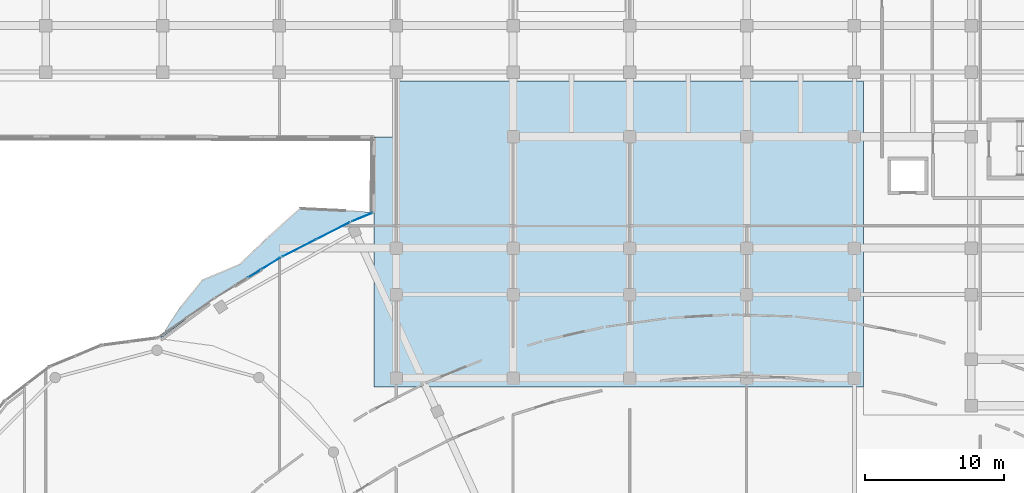
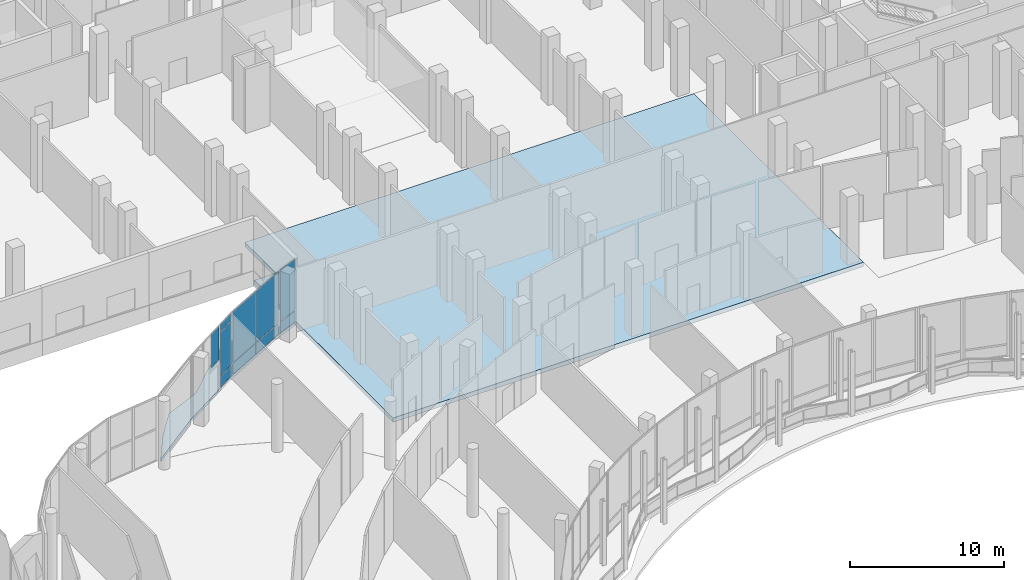
# One storey, part 128 of 158: 10 plates, 2 slabs, 4 elements without a shape of their own.
"""IFC4 building model written with IfcOpenShell, lengths in metres."""

import ifcopenshell
import ifcopenshell.guid

model = None  # the IFC model being written
_history = None  # IfcOwnerHistory: only IFC2X3 demands one
_inside = {}  # id of a spatial element -> (the spatial element, [elements in it])
_under = {}  # id of a project, library or spatial element -> (it, [spatial elements below it])
_declared = {}  # id of a project -> (the project, [libraries it declares])
_typed = {}  # id of a type object -> (the type object, [elements of that type])
_made_of = {}  # id of a material, layer set ... -> (it, [elements and type objects made of it])


def new_model(schema):
    """Start an empty IFC model of exactly this schema.

    Asked for "IFC4X3", IfcOpenShell would pick the latest addendum, in which some entities
    have other attributes; the version numbers below select the first issue.
    IFC2X3 requires an IfcOwnerHistory on every rooted entity: one is made here for all.
    """
    global model, _history
    if schema == "IFC4X3":
        model = ifcopenshell.file(schema_version=(4, 3, 0, 0))
    else:
        model = ifcopenshell.file(schema=schema)
    _inside.clear()
    _under.clear()
    _declared.clear()
    _typed.clear()
    _made_of.clear()
    _history = None
    if model.schema == "IFC2X3":
        org = make("IfcOrganization", Name="unknown")
        user = make(
            "IfcPersonAndOrganization",
            ThePerson=make("IfcPerson", FamilyName="unknown"),
            TheOrganization=org,
        )
        app = make(
            "IfcApplication",
            ApplicationDeveloper=org,
            Version="unknown",
            ApplicationFullName="unknown",
            ApplicationIdentifier="unknown",
        )
        _history = make(
            "IfcOwnerHistory",
            OwningUser=user,
            OwningApplication=app,
            ChangeAction="ADDED",
            CreationDate=0,
        )
    return model


def make(cls, **values):
    """One entity of the class cls with the attributes given. An attribute that is None is left unset."""
    return model.create_entity(
        cls, **{name: value for name, value in values.items() if value is not None}
    )


def rooted(cls, **values):
    """An entity with a GlobalId (a new one), such as an element, a storey or a relation."""
    return make(cls, GlobalId=ifcopenshell.guid.new(), OwnerHistory=_history, **values)


def si_unit(unit_type, name, prefix=None):
    """IfcSIUnit, for example si_unit("LENGTHUNIT", "METRE", prefix="MILLI")."""
    return make("IfcSIUnit", UnitType=unit_type, Prefix=prefix, Name=name)


def assignment(units):
    """IfcUnitAssignment: the units of a project."""
    return None if units is None else make("IfcUnitAssignment", Units=units)


def point(xyz):
    """IfcCartesianPoint."""
    return None if xyz is None else make("IfcCartesianPoint", Coordinates=xyz)


def direction(xyz):
    """IfcDirection."""
    return None if xyz is None else make("IfcDirection", DirectionRatios=xyz)


def frame(location, z_axis=None, x_axis=None):
    """IfcAxis2Placement3D, a coordinate frame: its origin and axes. An axis left out is left unset."""
    return make(
        "IfcAxis2Placement3D",
        Location=point(location),
        Axis=direction(z_axis),
        RefDirection=direction(x_axis),
    )


def frame_2d(location, x_axis=None):
    """IfcAxis2Placement2D, a coordinate frame in the plane: its origin and x axis."""
    return make(
        "IfcAxis2Placement2D", Location=point(location), RefDirection=direction(x_axis)
    )


def origin():
    """The frame at (0, 0, 0) with its axes left unset."""
    return frame((0.0, 0.0, 0.0))


def origin_2d():
    """The frame at (0, 0) in the plane with its x axis left unset."""
    return frame_2d((0.0, 0.0))


def place(relative_to, where):
    """IfcLocalPlacement: puts the frame where relative to a parent placement (None: the world)."""
    return make(
        "IfcLocalPlacement", PlacementRelTo=relative_to, RelativePlacement=where
    )


def context(
    kind, dimensions, precision=None, world=None, true_north=None, identifier=None
):
    """IfcGeometricRepresentationContext, for example the 3D "Model" context."""
    return make(
        "IfcGeometricRepresentationContext",
        ContextIdentifier=identifier,
        ContextType=kind,
        CoordinateSpaceDimension=dimensions,
        Precision=precision,
        WorldCoordinateSystem=world,
        TrueNorth=true_north,
    )


def subcontext(parent, identifier, kind, view, scale=None):
    """IfcGeometricRepresentationSubContext, for example "Body" below "Model"."""
    return make(
        "IfcGeometricRepresentationSubContext",
        ContextIdentifier=identifier,
        ContextType=kind,
        ParentContext=parent,
        TargetScale=scale,
        TargetView=view,
    )


def project(units=None, contexts=None):
    """IfcProject with its units and contexts."""
    return rooted(
        "IfcProject",
        Name="project",
        RepresentationContexts=contexts,
        UnitsInContext=assignment(units),
    )


def spatial(cls, under=None, at=None, **own):
    """A site, building, storey or space (cls), placed at a placement, below another one or the project."""
    s = rooted(cls, ObjectPlacement=at, **own)
    if under is not None:
        _under.setdefault(under.id(), (under, []))[1].append(s)
    return s


def polyline(points):
    """IfcPolyline through the points."""
    return make("IfcPolyline", Points=[point(p) for p in points])


def profile(cls, at=None, kind="AREA", **sizes):
    """A parametric profile (cls). Its sizes go by their IFC names, for example OverallWidth=200.0."""
    return make(cls, ProfileType=kind, Position=at, **sizes)


def rectangle(**sizes):
    """IfcRectangleProfileDef."""
    return profile("IfcRectangleProfileDef", **sizes)


def outline(outer, holes=None, kind="AREA"):
    """IfcArbitraryClosedProfileDef: a profile drawn as a closed curve; with holes, ...WithVoids."""
    if holes is None:
        return make("IfcArbitraryClosedProfileDef", ProfileType=kind, OuterCurve=outer)
    return make(
        "IfcArbitraryProfileDefWithVoids",
        ProfileType=kind,
        OuterCurve=outer,
        InnerCurves=holes,
    )


def extrude(swept, where, along, depth):
    """IfcExtrudedAreaSolid: the profile swept, set in the frame where, extruded along a direction by depth."""
    return make(
        "IfcExtrudedAreaSolid",
        SweptArea=swept,
        Position=where,
        ExtrudedDirection=direction(along),
        Depth=depth,
    )


def shape(context_of_items, identifier, shape_type, items):
    """IfcShapeRepresentation: the items that make up one representation, for example the "Body"."""
    return make(
        "IfcShapeRepresentation",
        ContextOfItems=context_of_items,
        RepresentationIdentifier=identifier,
        RepresentationType=shape_type,
        Items=items,
    )


def material(Name=None, Category=None):
    """IfcMaterial."""
    return make("IfcMaterial", Name=Name, Category=Category)


def layer(
    of_material, thickness, ventilated=None, Name=None, Category=None, Priority=None
):
    """IfcMaterialLayer: one layer of a wall or slab, of a material (None: an air gap)."""
    return make(
        "IfcMaterialLayer",
        Material=of_material,
        LayerThickness=thickness,
        IsVentilated=ventilated,
        Name=Name,
        Category=Category,
        Priority=Priority,
    )


def layer_set(layers, Name=None):
    """IfcMaterialLayerSet."""
    return make("IfcMaterialLayerSet", MaterialLayers=layers, LayerSetName=Name)


def made_of(thing, what):
    """Note that an element or type object is made of a material, layer set ...; save() writes the relation."""
    if what is not None:
        _made_of.setdefault(what.id(), (what, []))[1].append(thing)
    return thing


def type_object(cls, material=None, **own):
    """A type object (cls), such as IfcWallType, which elements share."""
    return made_of(rooted(cls, **own), material)


def element(
    cls,
    number,
    at=None,
    inside=None,
    cuts=None,
    type_object=None,
    material=None,
    context=None,
    identifier="Body",
    shape_type=None,
    held_by="IfcProductDefinitionShape",
    body=None,
    shapes=None,
    **own,
):
    """One element of the class cls, such as IfcWall. Its Tag is "e" and its number.

    at: its placement. inside: the storey or other place that contains it. cuts: it is an
    opening in that element (IfcRelVoidsElement). A single representation is given by context,
    identifier, shape_type and body (its items); several are given by shapes. held_by: the class
    of the entity that holds the representations. save() writes the other relations.
    """
    e = rooted(cls, Tag="e%d" % number, ObjectPlacement=at, **own)
    if body is not None:
        shapes = [shape(context, identifier, shape_type, body)]
    if shapes is not None:
        e.Representation = make(held_by, Representations=shapes)
    if inside is not None:
        _inside.setdefault(inside.id(), (inside, []))[1].append(e)
    if cuts is not None:
        rooted(
            "IfcRelVoidsElement", RelatingBuildingElement=cuts, RelatedOpeningElement=e
        )
    if type_object is not None:
        _typed.setdefault(type_object.id(), (type_object, []))[1].append(e)
    return made_of(e, material)


def aggregate(whole, parts):
    """IfcRelAggregates: a whole, such as a stair, and the parts it consists of."""
    return rooted("IfcRelAggregates", RelatingObject=whole, RelatedObjects=parts)


def save(model, path):
    """Write the relations noted so far, then the file.

    IfcRelAggregates (storeys below a building ...), IfcRelContainedInSpatialStructure (elements
    in a storey), IfcRelDefinesByType, IfcRelAssociatesMaterial and IfcRelDeclares: one each for
    every whole, place, type object, material and project.
    """
    for whole, parts in _under.values():
        aggregate(whole, parts)
    for where, things in _inside.values():
        rooted(
            "IfcRelContainedInSpatialStructure",
            RelatedElements=things,
            RelatingStructure=where,
        )
    for kind, things in _typed.values():
        rooted("IfcRelDefinesByType", RelatedObjects=things, RelatingType=kind)
    for what, things in _made_of.values():
        rooted("IfcRelAssociatesMaterial", RelatedObjects=things, RelatingMaterial=what)
    for by, libraries in _declared.values():
        rooted("IfcRelDeclares", RelatingContext=by, RelatedDefinitions=libraries)
    model.write(path)


model = new_model("IFC4")

# Units and contexts
model_context = context("Model", 3, precision=1e-05, world=origin(), true_north=direction((0.0, 1.0)))
body_context = subcontext(model_context, "Body", "Model", "MODEL_VIEW")
ifc_project = project(units=[si_unit("LENGTHUNIT", "METRE"), si_unit("AREAUNIT", "SQUARE_METRE"), si_unit("VOLUMEUNIT", "CUBIC_METRE"), si_unit("PLANEANGLEUNIT", "RADIAN"), si_unit("MASSUNIT", "GRAM", prefix="KILO")], contexts=[model_context])

# Site, building, storey
site_placement = place(None, origin())
site = spatial("IfcSite", under=ifc_project, at=site_placement, CompositionType="ELEMENT")
building_placement = place(site_placement, origin())
building = spatial("IfcBuilding", under=site, at=building_placement, Name="Selatvlak General Hospital", CompositionType="ELEMENT")
storey_placement = place(building_placement, origin())
storey = spatial("IfcBuildingStorey", under=building, at=storey_placement, Name="L00", CompositionType="ELEMENT", Elevation=0.0)

# Curtain wall, plate
ifc_material_1 = material(Name="Solar-control Low-E double glazing", Category="glass")
curtain_wall_type_1 = type_object("IfcCurtainWallType", Name="CW-CW-02", PredefinedType="USERDEFINED", material=ifc_material_1)
curtain_wall_1_placement = place(storey_placement, origin())
curtain_wall_1 = element("IfcCurtainWall", 1, at=curtain_wall_1_placement, inside=storey, type_object=curtain_wall_type_1, Name="Glazed facade curtain wall CW-L00-0100", ObjectType="UNITISED CURTAIN WALL", PredefinedType="USERDEFINED")
ifc_layer_1 = layer(ifc_material_1, 0.028076171875, Name="Solar-control Low-E double glazing", Category="glass")
ifc_layer_set_1 = layer_set([ifc_layer_1], Name="Solar-control Low-E double glazing")
plate_type = type_object("IfcPlateType", Name="CWP-01", PredefinedType="CURTAIN_PANEL", material=ifc_layer_set_1)
plate_1_placement = place(storey_placement, frame((105.002685546875, 74.15283203125, 2.385009765625), z_axis=(0.0, 0.0, 1.0), x_axis=(0.850415359562, 0.526111885649, 0.0)))
plate_1 = element("IfcPlate", 2, at=plate_1_placement, type_object=plate_type, Name="CW-02 panel 2.1", PredefinedType="CURTAIN_PANEL", context=body_context, shape_type="SweptSolid", body=[
    extrude(rectangle(XDim=1.037353515625, YDim=0.028076171875, at=origin_2d()), origin(), (0.0, 0.0, 1.0), 2.6298828125),
])
aggregate(curtain_wall_1, [plate_1])

# Curtain wall, plates
curtain_wall_type_2 = type_object("IfcCurtainWallType", Name="CW-CW-01", PredefinedType="USERDEFINED", material=ifc_material_1)
curtain_wall_2_placement = place(storey_placement, origin())
curtain_wall_2 = element("IfcCurtainWall", 3, at=curtain_wall_2_placement, inside=storey, type_object=curtain_wall_type_2, Name="Glazed facade curtain wall CW-L00-0102", ObjectType="UNITISED CURTAIN WALL", PredefinedType="USERDEFINED")
plate_2_placement = place(storey_placement, frame((106.214599609375, 74.902099609375, 0.06494140625), z_axis=(0.0, 0.0, 1.0), x_axis=(0.850724979241, 0.525611082166, 0.0)))
plate_2 = element("IfcPlate", 4, at=plate_2_placement, type_object=plate_type, Name="CW-01 panel 1.1", PredefinedType="CURTAIN_PANEL", context=body_context, shape_type="SweptSolid", body=[
    extrude(rectangle(XDim=1.490966796875, YDim=0.028076171875, at=origin_2d()), origin(), (0.0, 0.0, 1.0), 0.802490234375),
])
plate_3_placement = place(storey_placement, frame((106.214599609375, 74.902099609375, 0.9326171875), z_axis=(0.0, 0.0, 1.0), x_axis=(0.850724979241, 0.525611082166, 0.0)))
plate_3 = element("IfcPlate", 5, at=plate_3_placement, type_object=plate_type, Name="CW-01 panel 1.2", PredefinedType="CURTAIN_PANEL", context=body_context, shape_type="SweptSolid", body=[
    extrude(rectangle(XDim=1.490966796875, YDim=0.028076171875, at=origin_2d()), origin(), (0.0, 0.0, 1.0), 3.465087890625),
])
plate_4_placement = place(storey_placement, frame((106.214599609375, 74.902099609375, 4.46240234375), z_axis=(0.0, 0.0, 1.0), x_axis=(0.850724979241, 0.525611082166, 0.0)))
plate_4 = element("IfcPlate", 6, at=plate_4_placement, type_object=plate_type, Name="CW-01 panel 1.3", PredefinedType="CURTAIN_PANEL", context=body_context, shape_type="SweptSolid", body=[
    extrude(rectangle(XDim=1.490966796875, YDim=0.028076171875, at=origin_2d()), origin(), (0.0, 0.0, 1.0), 0.552490234375),
])
aggregate(curtain_wall_2, [plate_2, plate_3, plate_4])

curtain_wall_3_placement = place(storey_placement, origin())
curtain_wall_3 = element("IfcCurtainWall", 7, at=curtain_wall_3_placement, inside=storey, type_object=curtain_wall_type_2, Name="Glazed facade curtain wall CW-L00-0103", ObjectType="UNITISED CURTAIN WALL", PredefinedType="USERDEFINED")
plate_5_placement = place(storey_placement, frame((108.2197265625, 75.9990234375, 0.06494140625), z_axis=(0.0, 0.0, 1.0), x_axis=(0.891326828077, 0.453361318983, 0.0)))
plate_5 = element("IfcPlate", 8, at=plate_5_placement, type_object=plate_type, Name="CW-01 panel 1.1", PredefinedType="CURTAIN_PANEL", context=body_context, shape_type="SweptSolid", body=[
    extrude(rectangle(XDim=2.6630859375, YDim=0.028076171875, at=origin_2d()), origin(), (0.0, 0.0, 1.0), 0.8525390625),
])
plate_6_placement = place(storey_placement, frame((108.2197265625, 75.9990234375, 0.982421875), z_axis=(0.0, 0.0, 1.0), x_axis=(0.891326828077, 0.453361318983, 0.0)))
plate_6 = element("IfcPlate", 9, at=plate_6_placement, type_object=plate_type, Name="CW-01 panel 1.2", PredefinedType="CURTAIN_PANEL", context=body_context, shape_type="SweptSolid", body=[
    extrude(rectangle(XDim=2.6630859375, YDim=0.028076171875, at=origin_2d()), origin(), (0.0, 0.0, 1.0), 4.032470703125),
])
plate_7_placement = place(storey_placement, frame((110.6513671875, 77.23583984375, 0.06494140625), z_axis=(0.0, 0.0, 1.0), x_axis=(0.891326828077, 0.453361318983, 0.0)))
plate_7 = element("IfcPlate", 10, at=plate_7_placement, type_object=plate_type, Name="CW-01 panel 2.1", PredefinedType="CURTAIN_PANEL", context=body_context, shape_type="SweptSolid", body=[
    extrude(rectangle(XDim=2.6630859375, YDim=0.028076171875, at=origin_2d()), origin(), (0.0, 0.0, 1.0), 0.8525390625),
])
plate_8_placement = place(storey_placement, frame((110.6513671875, 77.23583984375, 0.982421875), z_axis=(0.0, 0.0, 1.0), x_axis=(0.891326828077, 0.453361318983, 0.0)))
plate_8 = element("IfcPlate", 11, at=plate_8_placement, type_object=plate_type, Name="CW-01 panel 2.2", PredefinedType="CURTAIN_PANEL", context=body_context, shape_type="SweptSolid", body=[
    extrude(rectangle(XDim=2.6630859375, YDim=0.028076171875, at=origin_2d()), origin(), (0.0, 0.0, 1.0), 4.032470703125),
])
aggregate(curtain_wall_3, [plate_5, plate_6, plate_7, plate_8])

curtain_wall_4_placement = place(storey_placement, origin())
curtain_wall_4 = element("IfcCurtainWall", 12, at=curtain_wall_4_placement, inside=storey, type_object=curtain_wall_type_1, Name="Glazed facade curtain wall CW-L00-0104", ObjectType="UNITISED CURTAIN WALL", PredefinedType="USERDEFINED")
plate_9_placement = place(storey_placement, frame((112.759033203125, 78.223388671875, 0.06494140625), z_axis=(0.0, 0.0, 1.0), x_axis=(0.925826722383, 0.377948250587, 0.0)))
plate_9 = element("IfcPlate", 13, at=plate_9_placement, type_object=plate_type, Name="CW-02 panel 1.1", PredefinedType="CURTAIN_PANEL", context=body_context, shape_type="SweptSolid", body=[
    extrude(rectangle(XDim=1.57666015625, YDim=0.028076171875, at=origin_2d()), origin(), (0.0, 0.0, 1.0), 0.8525390625),
])
plate_10_placement = place(storey_placement, frame((112.759033203125, 78.223388671875, 0.982421875), z_axis=(0.0, 0.0, 1.0), x_axis=(0.925826722383, 0.377948250587, 0.0)))
plate_10 = element("IfcPlate", 14, at=plate_10_placement, type_object=plate_type, Name="CW-02 panel 1.2", PredefinedType="CURTAIN_PANEL", context=body_context, shape_type="SweptSolid", body=[
    extrude(rectangle(XDim=1.57666015625, YDim=0.028076171875, at=origin_2d()), origin(), (0.0, 0.0, 1.0), 4.032470703125),
])
aggregate(curtain_wall_4, [plate_9, plate_10])

# Slabs
ifc_material_2 = material(Name="Concrete C40/50", Category="concrete")
ifc_layer_2 = layer(ifc_material_2, 0.235107421875, Name="Concrete C40/50", Category="concrete")
ifc_layer_set_2 = layer_set([ifc_layer_2], Name="Concrete C40/50")
slab_type_1 = type_object("IfcSlabType", Name="SLAB-SL-BL0", PredefinedType="FLOOR", material=ifc_layer_set_2)
slab_1_placement = place(storey_placement, frame((0.0, 0.0, -0.235107421875)))
element("IfcSlab", 15, at=slab_1_placement, inside=storey, type_object=slab_type_1, Name="L00 S-curve sunshade balcony 3", PredefinedType="FLOOR", context=body_context, shape_type="SweptSolid", body=[
    extrude(outline(polyline([(106.06396484375, 76.85595703125), (108.277099609375, 78.842041015625), (111.529052734375, 78.68994140625), (113.52001953125, 78.572998046875), (113.52001953125, 78.5400390625), (111.907958984375, 77.882080078125), (106.916015625, 75.341064453125), (102.14892578125, 72.39501953125), (98.2919921875, 69.5419921875), (98.25390625, 69.547119140625), (99.62890625, 71.675048828125), (101.26904296875, 73.701904296875), (103.93798828125, 74.8291015625), (106.06396484375, 76.85595703125)])), origin(), (0.0, 0.0, 1.0), 0.235107421875),
])
ifc_layer_3 = layer(ifc_material_2, 0.35009765625, Name="Concrete C40/50", Category="concrete")
ifc_layer_set_3 = layer_set([ifc_layer_3], Name="Concrete C40/50")
slab_type_2 = type_object("IfcSlabType", Name="SLAB-SL-FL0", PredefinedType="FLOOR", material=ifc_layer_set_3)
slab_2_placement = place(storey_placement, frame((0.0, 0.0, -0.35009765625)))
element("IfcSlab", 16, at=slab_2_placement, inside=storey, type_object=slab_type_2, Name="L00 V4 structural slab", PredefinedType="FLOOR", context=body_context, shape_type="SweptSolid", body=[
    extrude(outline(polyline([(113.60009765625, 83.991943359375), (115.199951171875, 83.991943359375), (115.2080078125, 88.0), (148.800048828125, 88.0), (148.800048828125, 66.0), (113.60009765625, 66.0), (113.60009765625, 83.991943359375)])), origin(), (0.0, 0.0, 1.0), 0.35009765625),
])

save(model, "model.ifc")
